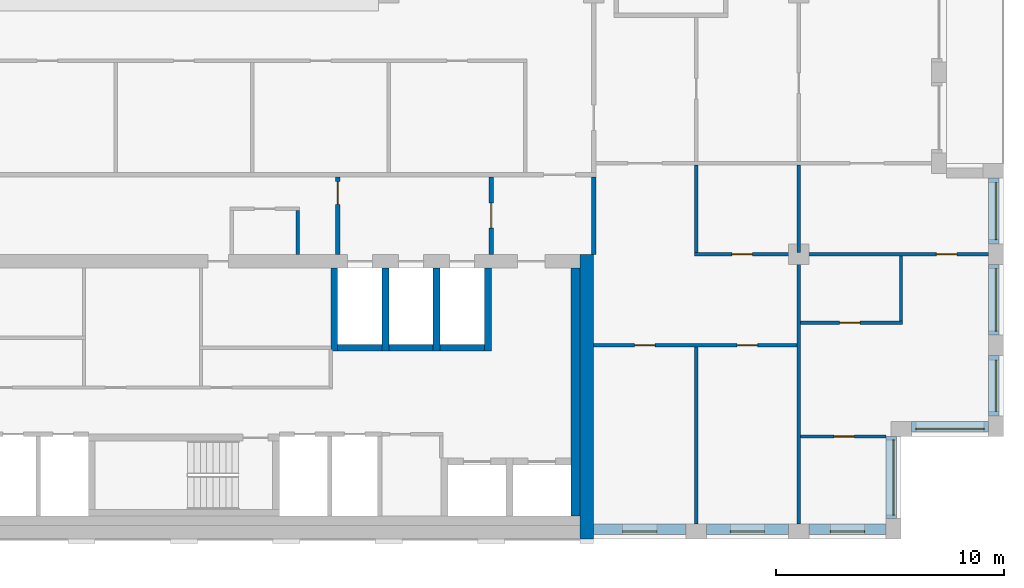
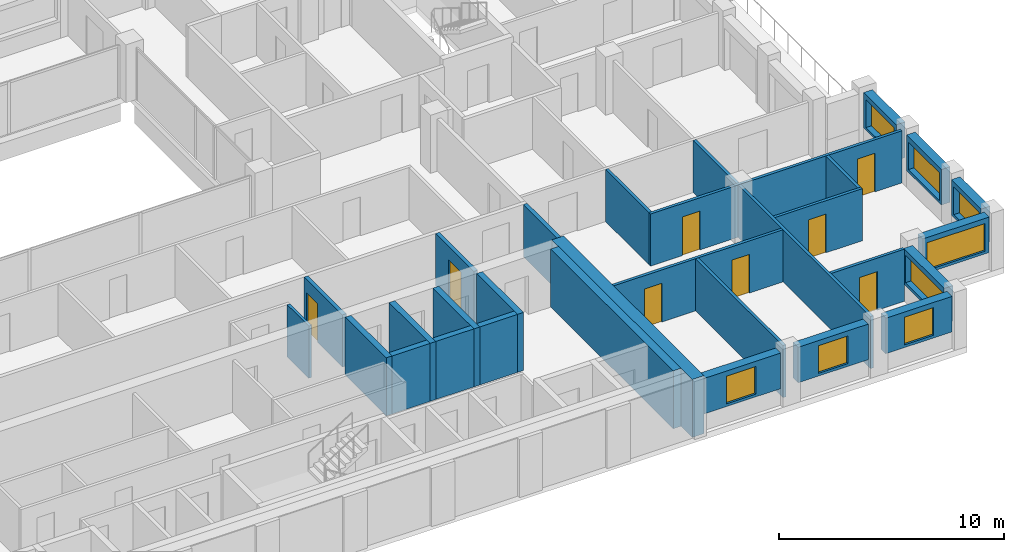
# One storey, part 11 of 16: 30 walls, 8 doors, 8 windows, 16 openings.
"""IFC4 building model written with IfcOpenShell, lengths in metres."""

import ifcopenshell
import ifcopenshell.guid

model = None  # the IFC model being written
_history = None  # IfcOwnerHistory: only IFC2X3 demands one
_inside = {}  # id of a spatial element -> (the spatial element, [elements in it])
_under = {}  # id of a project, library or spatial element -> (it, [spatial elements below it])
_declared = {}  # id of a project -> (the project, [libraries it declares])
_typed = {}  # id of a type object -> (the type object, [elements of that type])
_made_of = {}  # id of a material, layer set ... -> (it, [elements and type objects made of it])


def new_model(schema):
    """Start an empty IFC model of exactly this schema.

    Asked for "IFC4X3", IfcOpenShell would pick the latest addendum, in which some entities
    have other attributes; the version numbers below select the first issue.
    IFC2X3 requires an IfcOwnerHistory on every rooted entity: one is made here for all.
    """
    global model, _history
    if schema == "IFC4X3":
        model = ifcopenshell.file(schema_version=(4, 3, 0, 0))
    else:
        model = ifcopenshell.file(schema=schema)
    _inside.clear()
    _under.clear()
    _declared.clear()
    _typed.clear()
    _made_of.clear()
    _history = None
    if model.schema == "IFC2X3":
        org = make("IfcOrganization", Name="unknown")
        user = make(
            "IfcPersonAndOrganization",
            ThePerson=make("IfcPerson", FamilyName="unknown"),
            TheOrganization=org,
        )
        app = make(
            "IfcApplication",
            ApplicationDeveloper=org,
            Version="unknown",
            ApplicationFullName="unknown",
            ApplicationIdentifier="unknown",
        )
        _history = make(
            "IfcOwnerHistory",
            OwningUser=user,
            OwningApplication=app,
            ChangeAction="ADDED",
            CreationDate=0,
        )
    return model


def make(cls, **values):
    """One entity of the class cls with the attributes given. An attribute that is None is left unset."""
    return model.create_entity(
        cls, **{name: value for name, value in values.items() if value is not None}
    )


def rooted(cls, **values):
    """An entity with a GlobalId (a new one), such as an element, a storey or a relation."""
    return make(cls, GlobalId=ifcopenshell.guid.new(), OwnerHistory=_history, **values)


def si_unit(unit_type, name, prefix=None):
    """IfcSIUnit, for example si_unit("LENGTHUNIT", "METRE", prefix="MILLI")."""
    return make("IfcSIUnit", UnitType=unit_type, Prefix=prefix, Name=name)


def assignment(units):
    """IfcUnitAssignment: the units of a project."""
    return None if units is None else make("IfcUnitAssignment", Units=units)


def point(xyz):
    """IfcCartesianPoint."""
    return None if xyz is None else make("IfcCartesianPoint", Coordinates=xyz)


def direction(xyz):
    """IfcDirection."""
    return None if xyz is None else make("IfcDirection", DirectionRatios=xyz)


def frame(location, z_axis=None, x_axis=None):
    """IfcAxis2Placement3D, a coordinate frame: its origin and axes. An axis left out is left unset."""
    return make(
        "IfcAxis2Placement3D",
        Location=point(location),
        Axis=direction(z_axis),
        RefDirection=direction(x_axis),
    )


def frame_2d(location, x_axis=None):
    """IfcAxis2Placement2D, a coordinate frame in the plane: its origin and x axis."""
    return make(
        "IfcAxis2Placement2D", Location=point(location), RefDirection=direction(x_axis)
    )


def origin():
    """The frame at (0, 0, 0) with its axes left unset."""
    return frame((0.0, 0.0, 0.0))


def place(relative_to, where):
    """IfcLocalPlacement: puts the frame where relative to a parent placement (None: the world)."""
    return make(
        "IfcLocalPlacement", PlacementRelTo=relative_to, RelativePlacement=where
    )


def context(
    kind, dimensions, precision=None, world=None, true_north=None, identifier=None
):
    """IfcGeometricRepresentationContext, for example the 3D "Model" context."""
    return make(
        "IfcGeometricRepresentationContext",
        ContextIdentifier=identifier,
        ContextType=kind,
        CoordinateSpaceDimension=dimensions,
        Precision=precision,
        WorldCoordinateSystem=world,
        TrueNorth=true_north,
    )


def subcontext(parent, identifier, kind, view, scale=None):
    """IfcGeometricRepresentationSubContext, for example "Body" below "Model"."""
    return make(
        "IfcGeometricRepresentationSubContext",
        ContextIdentifier=identifier,
        ContextType=kind,
        ParentContext=parent,
        TargetScale=scale,
        TargetView=view,
    )


def project(units=None, contexts=None):
    """IfcProject with its units and contexts."""
    return rooted(
        "IfcProject",
        Name="project",
        RepresentationContexts=contexts,
        UnitsInContext=assignment(units),
    )


def spatial(cls, under=None, at=None, **own):
    """A site, building, storey or space (cls), placed at a placement, below another one or the project."""
    s = rooted(cls, ObjectPlacement=at, **own)
    if under is not None:
        _under.setdefault(under.id(), (under, []))[1].append(s)
    return s


def profile(cls, at=None, kind="AREA", **sizes):
    """A parametric profile (cls). Its sizes go by their IFC names, for example OverallWidth=200.0."""
    return make(cls, ProfileType=kind, Position=at, **sizes)


def rectangle(**sizes):
    """IfcRectangleProfileDef."""
    return profile("IfcRectangleProfileDef", **sizes)


def extrude(swept, where, along, depth):
    """IfcExtrudedAreaSolid: the profile swept, set in the frame where, extruded along a direction by depth."""
    return make(
        "IfcExtrudedAreaSolid",
        SweptArea=swept,
        Position=where,
        ExtrudedDirection=direction(along),
        Depth=depth,
    )


def shape(context_of_items, identifier, shape_type, items):
    """IfcShapeRepresentation: the items that make up one representation, for example the "Body"."""
    return make(
        "IfcShapeRepresentation",
        ContextOfItems=context_of_items,
        RepresentationIdentifier=identifier,
        RepresentationType=shape_type,
        Items=items,
    )


def material(Name=None, Category=None):
    """IfcMaterial."""
    return make("IfcMaterial", Name=Name, Category=Category)


def layer(
    of_material, thickness, ventilated=None, Name=None, Category=None, Priority=None
):
    """IfcMaterialLayer: one layer of a wall or slab, of a material (None: an air gap)."""
    return make(
        "IfcMaterialLayer",
        Material=of_material,
        LayerThickness=thickness,
        IsVentilated=ventilated,
        Name=Name,
        Category=Category,
        Priority=Priority,
    )


def layer_set(layers, Name=None):
    """IfcMaterialLayerSet."""
    return make("IfcMaterialLayerSet", MaterialLayers=layers, LayerSetName=Name)


def made_of(thing, what):
    """Note that an element or type object is made of a material, layer set ...; save() writes the relation."""
    if what is not None:
        _made_of.setdefault(what.id(), (what, []))[1].append(thing)
    return thing


def type_object(cls, material=None, **own):
    """A type object (cls), such as IfcWallType, which elements share."""
    return made_of(rooted(cls, **own), material)


def element(
    cls,
    number,
    at=None,
    inside=None,
    cuts=None,
    type_object=None,
    material=None,
    context=None,
    identifier="Body",
    shape_type=None,
    held_by="IfcProductDefinitionShape",
    body=None,
    shapes=None,
    **own,
):
    """One element of the class cls, such as IfcWall. Its Tag is "e" and its number.

    at: its placement. inside: the storey or other place that contains it. cuts: it is an
    opening in that element (IfcRelVoidsElement). A single representation is given by context,
    identifier, shape_type and body (its items); several are given by shapes. held_by: the class
    of the entity that holds the representations. save() writes the other relations.
    """
    e = rooted(cls, Tag="e%d" % number, ObjectPlacement=at, **own)
    if body is not None:
        shapes = [shape(context, identifier, shape_type, body)]
    if shapes is not None:
        e.Representation = make(held_by, Representations=shapes)
    if inside is not None:
        _inside.setdefault(inside.id(), (inside, []))[1].append(e)
    if cuts is not None:
        rooted(
            "IfcRelVoidsElement", RelatingBuildingElement=cuts, RelatedOpeningElement=e
        )
    if type_object is not None:
        _typed.setdefault(type_object.id(), (type_object, []))[1].append(e)
    return made_of(e, material)


def fill(opening, filler):
    """IfcRelFillsElement: the door or window that sits in an opening."""
    return rooted(
        "IfcRelFillsElement",
        RelatingOpeningElement=opening,
        RelatedBuildingElement=filler,
    )


def aggregate(whole, parts):
    """IfcRelAggregates: a whole, such as a stair, and the parts it consists of."""
    return rooted("IfcRelAggregates", RelatingObject=whole, RelatedObjects=parts)


def save(model, path):
    """Write the relations noted so far, then the file.

    IfcRelAggregates (storeys below a building ...), IfcRelContainedInSpatialStructure (elements
    in a storey), IfcRelDefinesByType, IfcRelAssociatesMaterial and IfcRelDeclares: one each for
    every whole, place, type object, material and project.
    """
    for whole, parts in _under.values():
        aggregate(whole, parts)
    for where, things in _inside.values():
        rooted(
            "IfcRelContainedInSpatialStructure",
            RelatedElements=things,
            RelatingStructure=where,
        )
    for kind, things in _typed.values():
        rooted("IfcRelDefinesByType", RelatedObjects=things, RelatingType=kind)
    for what, things in _made_of.values():
        rooted("IfcRelAssociatesMaterial", RelatedObjects=things, RelatingMaterial=what)
    for by, libraries in _declared.values():
        rooted("IfcRelDeclares", RelatingContext=by, RelatedDefinitions=libraries)
    model.write(path)


model = new_model("IFC4")

# Units and contexts
model_context = context("Model", 3, precision=1e-05, world=origin(), true_north=direction((0.0, 1.0)))
body_context = subcontext(model_context, "Body", "Model", "MODEL_VIEW")
ifc_project = project(units=[si_unit("LENGTHUNIT", "METRE"), si_unit("AREAUNIT", "SQUARE_METRE"), si_unit("VOLUMEUNIT", "CUBIC_METRE"), si_unit("PLANEANGLEUNIT", "RADIAN"), si_unit("MASSUNIT", "GRAM", prefix="KILO")], contexts=[model_context])

# Site, building, storey
site_placement = place(None, origin())
site = spatial("IfcSite", under=ifc_project, at=site_placement, CompositionType="ELEMENT")
building_placement = place(site_placement, origin())
building = spatial("IfcBuilding", under=site, at=building_placement, Name="Brigalow Station Residences", CompositionType="ELEMENT")
storey_placement = place(building_placement, frame((0.0, 0.0, 201.14990234375)))
storey = spatial("IfcBuildingStorey", under=building, at=storey_placement, Name="L57", CompositionType="ELEMENT", Elevation=201.14990234375)

# Wall, opening, window
ifc_material_1 = material(Name="Clay brick masonry", Category="masonry")
ifc_layer_1 = layer(ifc_material_1, 0.449951171875)
ifc_layer_set_1 = layer_set([ifc_layer_1], Name="BRICK INFILL WALL 450")
wall_type_1 = type_object("IfcWallType", Name="BRICK INFILL WALL 450", PredefinedType="SOLIDWALL", material=ifc_layer_set_1)
wall_1_placement = place(storey_placement, frame((54.0, 0.425048828125, 0.900146484375), z_axis=(0.0, 0.0, 1.0), x_axis=(1.0, 0.0, 0.0)))
wall_1 = element("IfcWall", 1, at=wall_1_placement, inside=storey, type_object=wall_type_1, Name="L57/ewall/W-L57-3", PredefinedType="SOLIDWALL", context=body_context, shape_type="SweptSolid", body=[
    extrude(rectangle(XDim=4.050048828125, YDim=0.449951171875, at=frame_2d((2.02490234375, 0.0))), origin(), (0.0, 0.0, 1.0), 1.929931640625),
])
opening_1_placement = place(wall_1_placement, frame((1.27490234375, 0.0, 0.14990234375)))
opening_1 = element("IfcOpeningElement", 2, at=opening_1_placement, cuts=wall_1, Name="Opening WT-1", PredefinedType="OPENING", context=body_context, shape_type="SweptSolid", body=[
    extrude(rectangle(XDim=1.5, YDim=1.5, at=frame_2d((0.75, 0.75))), frame((0.0, 0.23486328125, 0.0), z_axis=(0.0, -1.0, 0.0), x_axis=(1.0, 0.0, 0.0)), (0.0, 0.0, 1.0), 0.469970703125),
])
ifc_material_2 = material(Name="Anodised aluminium frame with double glazing", Category="aluminium")
window_type_1 = type_object("IfcWindowType", Name="WINDOW 1500x1500", PartitioningType="SINGLE_PANEL", PredefinedType="WINDOW", material=ifc_material_2)
window_1_placement = place(opening_1_placement, origin())
window_1 = element("IfcWindow", 3, at=window_1_placement, inside=storey, type_object=window_type_1, Name="L57/window/W-L57-3", OverallHeight=1.5, OverallWidth=1.5, PartitioningType="SINGLE_PANEL", PredefinedType="WINDOW", context=body_context, shape_type="SweptSolid", body=[
    extrude(rectangle(XDim=1.5, YDim=1.5, at=frame_2d((0.75, 0.75))), frame((0.0, -0.06494140625, 0.0), z_axis=(0.0, -1.0, 0.0), x_axis=(1.0, 0.0, 0.0)), (0.0, 0.0, 1.0), 0.06005859375),
])
fill(opening_1, window_1)

wall_2_placement = place(storey_placement, frame((58.949951171875, 0.425048828125, 0.900146484375), z_axis=(0.0, 0.0, 1.0), x_axis=(1.0, 0.0, 0.0)))
wall_2 = element("IfcWall", 4, at=wall_2_placement, inside=storey, type_object=wall_type_1, Name="L57/ewall/W-L57-4", PredefinedType="SOLIDWALL", context=body_context, shape_type="SweptSolid", body=[
    extrude(rectangle(XDim=3.60009765625, YDim=0.449951171875, at=frame_2d((1.800048828125, 0.0))), origin(), (0.0, 0.0, 1.0), 1.929931640625),
])
opening_2_placement = place(wall_2_placement, frame((1.050048828125, 0.0, 0.14990234375)))
opening_2 = element("IfcOpeningElement", 5, at=opening_2_placement, cuts=wall_2, Name="Opening WT-1", PredefinedType="OPENING", context=body_context, shape_type="SweptSolid", body=[
    extrude(rectangle(XDim=1.5, YDim=1.5, at=frame_2d((0.75, 0.75))), frame((0.0, 0.23486328125, 0.0), z_axis=(0.0, -1.0, 0.0), x_axis=(1.0, 0.0, 0.0)), (0.0, 0.0, 1.0), 0.469970703125),
])
window_2_placement = place(opening_2_placement, origin())
window_2 = element("IfcWindow", 6, at=window_2_placement, inside=storey, type_object=window_type_1, Name="L57/window/W-L57-4", OverallHeight=1.5, OverallWidth=1.5, PartitioningType="SINGLE_PANEL", PredefinedType="WINDOW", context=body_context, shape_type="SweptSolid", body=[
    extrude(rectangle(XDim=1.5, YDim=1.5, at=frame_2d((0.75, 0.75))), frame((0.0, -0.06494140625, 0.0), z_axis=(0.0, -1.0, 0.0), x_axis=(1.0, 0.0, 0.0)), (0.0, 0.0, 1.0), 0.06005859375),
])
fill(opening_2, window_2)

wall_3_placement = place(storey_placement, frame((63.449951171875, 0.425048828125, 0.900146484375), z_axis=(0.0, 0.0, 1.0), x_axis=(1.0, 0.0, 0.0)))
wall_3 = element("IfcWall", 7, at=wall_3_placement, inside=storey, type_object=wall_type_1, Name="L57/ewall/W-L57-5", PredefinedType="SOLIDWALL", context=body_context, shape_type="SweptSolid", body=[
    extrude(rectangle(XDim=3.400146484375, YDim=0.449951171875, at=frame_2d((1.7001953125, 0.0))), origin(), (0.0, 0.0, 1.0), 1.929931640625),
])
opening_3_placement = place(wall_3_placement, frame((0.949951171875, 0.0, 0.14990234375)))
opening_3 = element("IfcOpeningElement", 8, at=opening_3_placement, cuts=wall_3, Name="Opening WT-1", PredefinedType="OPENING", context=body_context, shape_type="SweptSolid", body=[
    extrude(rectangle(XDim=1.5, YDim=1.5, at=frame_2d((0.75, 0.75))), frame((0.0, 0.23486328125, 0.0), z_axis=(0.0, -1.0, 0.0), x_axis=(1.0, 0.0, 0.0)), (0.0, 0.0, 1.0), 0.469970703125),
])
window_3_placement = place(opening_3_placement, origin())
window_3 = element("IfcWindow", 9, at=window_3_placement, inside=storey, type_object=window_type_1, Name="L57/window/W-L57-5", OverallHeight=1.5, OverallWidth=1.5, PartitioningType="SINGLE_PANEL", PredefinedType="WINDOW", context=body_context, shape_type="SweptSolid", body=[
    extrude(rectangle(XDim=1.5, YDim=1.5, at=frame_2d((0.75, 0.75))), frame((0.0, -0.06494140625, 0.0), z_axis=(0.0, -1.0, 0.0), x_axis=(1.0, 0.0, 0.0)), (0.0, 0.0, 1.0), 0.06005859375),
])
fill(opening_3, window_3)

wall_4_placement = place(storey_placement, frame((67.074951171875, 0.89990234375, 0.900146484375), z_axis=(0.0, 0.0, 1.0), x_axis=(0.0, 1.0, 0.0)))
wall_4 = element("IfcWall", 10, at=wall_4_placement, inside=storey, type_object=wall_type_1, Name="L57/ewall/W-L57-6", PredefinedType="SOLIDWALL", context=body_context, shape_type="SweptSolid", body=[
    extrude(rectangle(XDim=3.60009765625, YDim=0.449951171875, at=frame_2d((1.800048828125, 0.0))), origin(), (0.0, 0.0, 1.0), 1.929931640625),
])
opening_4_placement = place(wall_4_placement, frame((0.14990234375, 0.0, 0.14990234375)))
opening_4 = element("IfcOpeningElement", 11, at=opening_4_placement, cuts=wall_4, Name="Opening WT-10", PredefinedType="OPENING", context=body_context, shape_type="SweptSolid", body=[
    extrude(rectangle(XDim=3.300048828125, YDim=1.5, at=frame_2d((1.64990234375, 0.75))), frame((0.0, 0.23486328125, 0.0), z_axis=(0.0, -1.0, 0.0), x_axis=(1.0, 0.0, 0.0)), (0.0, 0.0, 1.0), 0.469970703125),
])
ifc_material_3 = material(Name="Anodised aluminium frame with double glazing", Category="aluminium")
window_type_2 = type_object("IfcWindowType", Name="WINDOW 3300x1500", PartitioningType="SINGLE_PANEL", PredefinedType="WINDOW", material=ifc_material_3)
window_4_placement = place(opening_4_placement, origin())
window_4 = element("IfcWindow", 12, at=window_4_placement, inside=storey, type_object=window_type_2, Name="L57/window/W-L57-6", OverallHeight=1.5, OverallWidth=3.300048828125, PartitioningType="SINGLE_PANEL", PredefinedType="WINDOW", context=body_context, shape_type="SweptSolid", body=[
    extrude(rectangle(XDim=3.300048828125, YDim=1.5, at=frame_2d((1.64990234375, 0.75))), frame((0.0, -0.06494140625, 0.0), z_axis=(0.0, -1.0, 0.0), x_axis=(1.0, 0.0, 0.0)), (0.0, 0.0, 1.0), 0.06005859375),
])
fill(opening_4, window_4)

wall_5_placement = place(storey_placement, frame((67.949951171875, 4.925048828125, 0.900146484375), z_axis=(0.0, 0.0, 1.0), x_axis=(1.0, 0.0, 0.0)))
wall_5 = element("IfcWall", 13, at=wall_5_placement, inside=storey, type_object=wall_type_1, Name="L57/ewall/W-L57-7", PredefinedType="SOLIDWALL", context=body_context, shape_type="SweptSolid", body=[
    extrude(rectangle(XDim=3.400146484375, YDim=0.449951171875, at=frame_2d((1.7001953125, 0.0))), origin(), (0.0, 0.0, 1.0), 1.929931640625),
])
opening_5_placement = place(wall_5_placement, frame((0.199951171875, 0.0, 0.14990234375)))
opening_5 = element("IfcOpeningElement", 14, at=opening_5_placement, cuts=wall_5, Name="Opening WT-2", PredefinedType="OPENING", context=body_context, shape_type="SweptSolid", body=[
    extrude(rectangle(XDim=3.0, YDim=1.5, at=frame_2d((1.5, 0.75))), frame((0.0, 0.23486328125, 0.0), z_axis=(0.0, -1.0, 0.0), x_axis=(1.0, 0.0, 0.0)), (0.0, 0.0, 1.0), 0.469970703125),
])
ifc_material_4 = material(Name="Anodised aluminium frame with double glazing", Category="aluminium")
window_type_3 = type_object("IfcWindowType", Name="WINDOW 3000x1500", PartitioningType="SINGLE_PANEL", PredefinedType="WINDOW", material=ifc_material_4)
window_5_placement = place(opening_5_placement, origin())
window_5 = element("IfcWindow", 15, at=window_5_placement, inside=storey, type_object=window_type_3, Name="L57/window/W-L57-7", OverallHeight=1.5, OverallWidth=3.0, PartitioningType="SINGLE_PANEL", PredefinedType="WINDOW", context=body_context, shape_type="SweptSolid", body=[
    extrude(rectangle(XDim=3.0, YDim=1.5, at=frame_2d((1.5, 0.75))), frame((0.0, -0.06494140625, 0.0), z_axis=(0.0, -1.0, 0.0), x_axis=(1.0, 0.0, 0.0)), (0.0, 0.0, 1.0), 0.06005859375),
])
fill(opening_5, window_5)

wall_6_placement = place(storey_placement, frame((71.574951171875, 5.39990234375, 0.900146484375), z_axis=(0.0, 0.0, 1.0), x_axis=(0.0, 1.0, 0.0)))
wall_6 = element("IfcWall", 16, at=wall_6_placement, inside=storey, type_object=wall_type_1, Name="L57/ewall/W-L57-8", PredefinedType="SOLIDWALL", context=body_context, shape_type="SweptSolid", body=[
    extrude(rectangle(XDim=2.650146484375, YDim=0.449951171875, at=frame_2d((1.3251953125, 0.0))), origin(), (0.0, 0.0, 1.0), 1.929931640625),
])
opening_6_placement = place(wall_6_placement, frame((0.199951171875, 0.0, 0.14990234375)))
opening_6 = element("IfcOpeningElement", 17, at=opening_6_placement, cuts=wall_6, Name="Opening WT-6", PredefinedType="OPENING", context=body_context, shape_type="SweptSolid", body=[
    extrude(rectangle(XDim=2.25, YDim=1.5, at=frame_2d((1.125, 0.75))), frame((0.0, 0.23486328125, 0.0), z_axis=(0.0, -1.0, 0.0), x_axis=(1.0, 0.0, 0.0)), (0.0, 0.0, 1.0), 0.469970703125),
])
ifc_material_5 = material(Name="Anodised aluminium frame with double glazing", Category="aluminium")
window_type_4 = type_object("IfcWindowType", Name="WINDOW 2250x1500", PartitioningType="SINGLE_PANEL", PredefinedType="WINDOW", material=ifc_material_5)
window_6_placement = place(opening_6_placement, origin())
window_6 = element("IfcWindow", 18, at=window_6_placement, inside=storey, type_object=window_type_4, Name="L57/window/W-L57-8", OverallHeight=1.5, OverallWidth=2.25, PartitioningType="SINGLE_PANEL", PredefinedType="WINDOW", context=body_context, shape_type="SweptSolid", body=[
    extrude(rectangle(XDim=2.25, YDim=1.5, at=frame_2d((1.125, 0.75))), frame((0.0, -0.06494140625, 0.0), z_axis=(0.0, -1.0, 0.0), x_axis=(1.0, 0.0, 0.0)), (0.0, 0.0, 1.0), 0.06005859375),
])
fill(opening_6, window_6)

wall_7_placement = place(storey_placement, frame((71.574951171875, 8.949951171875, 0.900146484375), z_axis=(0.0, 0.0, 1.0), x_axis=(0.0, 1.0, 0.0)))
wall_7 = element("IfcWall", 19, at=wall_7_placement, inside=storey, type_object=wall_type_1, Name="L57/ewall/W-L57-9", PredefinedType="SOLIDWALL", context=body_context, shape_type="SweptSolid", body=[
    extrude(rectangle(XDim=3.10009765625, YDim=0.449951171875, at=frame_2d((1.550048828125, 0.0))), origin(), (0.0, 0.0, 1.0), 1.929931640625),
])
opening_7_placement = place(wall_7_placement, frame((0.175048828125, 0.0, 0.14990234375)))
opening_7 = element("IfcOpeningElement", 20, at=opening_7_placement, cuts=wall_7, Name="Opening WT-3", PredefinedType="OPENING", context=body_context, shape_type="SweptSolid", body=[
    extrude(rectangle(XDim=2.75, YDim=1.5, at=frame_2d((1.375, 0.75))), frame((0.0, 0.23486328125, 0.0), z_axis=(0.0, -1.0, 0.0), x_axis=(1.0, 0.0, 0.0)), (0.0, 0.0, 1.0), 0.469970703125),
])
ifc_material_6 = material(Name="Anodised aluminium frame with double glazing", Category="aluminium")
window_type_5 = type_object("IfcWindowType", Name="WINDOW 2750x1500", PartitioningType="SINGLE_PANEL", PredefinedType="WINDOW", material=ifc_material_6)
window_7_placement = place(opening_7_placement, origin())
window_7 = element("IfcWindow", 21, at=window_7_placement, inside=storey, type_object=window_type_5, Name="L57/window/W-L57-9", OverallHeight=1.5, OverallWidth=2.75, PartitioningType="SINGLE_PANEL", PredefinedType="WINDOW", context=body_context, shape_type="SweptSolid", body=[
    extrude(rectangle(XDim=2.75, YDim=1.5, at=frame_2d((1.375, 0.75))), frame((0.0, -0.06494140625, 0.0), z_axis=(0.0, -1.0, 0.0), x_axis=(1.0, 0.0, 0.0)), (0.0, 0.0, 1.0), 0.06005859375),
])
fill(opening_7, window_7)

wall_8_placement = place(storey_placement, frame((71.574951171875, 12.949951171875, 0.900146484375), z_axis=(0.0, 0.0, 1.0), x_axis=(0.0, 1.0, 0.0)))
wall_8 = element("IfcWall", 22, at=wall_8_placement, inside=storey, type_object=wall_type_1, Name="L57/ewall/W-L57-10", PredefinedType="SOLIDWALL", context=body_context, shape_type="SweptSolid", body=[
    extrude(rectangle(XDim=2.900146484375, YDim=0.449951171875, at=frame_2d((1.4501953125, 0.0))), origin(), (0.0, 0.0, 1.0), 1.929931640625),
])
opening_8_placement = place(wall_8_placement, frame((0.199951171875, 0.0, 0.14990234375)))
opening_8 = element("IfcOpeningElement", 23, at=opening_8_placement, cuts=wall_8, Name="Opening WT-5", PredefinedType="OPENING", context=body_context, shape_type="SweptSolid", body=[
    extrude(rectangle(XDim=2.5, YDim=1.5, at=frame_2d((1.25, 0.75))), frame((0.0, 0.23486328125, 0.0), z_axis=(0.0, -1.0, 0.0), x_axis=(1.0, 0.0, 0.0)), (0.0, 0.0, 1.0), 0.469970703125),
])
ifc_material_7 = material(Name="Anodised aluminium frame with double glazing", Category="aluminium")
window_type_6 = type_object("IfcWindowType", Name="WINDOW 2500x1500", PartitioningType="SINGLE_PANEL", PredefinedType="WINDOW", material=ifc_material_7)
window_8_placement = place(opening_8_placement, origin())
window_8 = element("IfcWindow", 24, at=window_8_placement, inside=storey, type_object=window_type_6, Name="L57/window/W-L57-10", OverallHeight=1.5, OverallWidth=2.5, PartitioningType="SINGLE_PANEL", PredefinedType="WINDOW", context=body_context, shape_type="SweptSolid", body=[
    extrude(rectangle(XDim=2.5, YDim=1.5, at=frame_2d((1.25, 0.75))), frame((0.0, -0.06494140625, 0.0), z_axis=(0.0, -1.0, 0.0), x_axis=(1.0, 0.0, 0.0)), (0.0, 0.0, 1.0), 0.06005859375),
])
fill(opening_8, window_8)

# Walls
ifc_material_8 = material(Name="Concrete C50", Category="concrete")
ifc_layer_2 = layer(ifc_material_8, 0.300048828125)
ifc_layer_set_2 = layer_set([ifc_layer_2], Name="CORE SHEAR WALL 300 C50")
wall_type_2 = type_object("IfcWallType", Name="CORE SHEAR WALL 300 C50", PredefinedType="SHEAR", material=ifc_layer_set_2)
wall_9_placement = place(storey_placement, frame((42.75, 8.39990234375, 0.0), z_axis=(0.0, 0.0, 1.0), x_axis=(1.0, 0.0, 0.0)))
element("IfcWall", 25, at=wall_9_placement, inside=storey, type_object=wall_type_2, Name="CORE WALL SH-FF1-S L57", PredefinedType="SHEAR", context=body_context, shape_type="SweptSolid", body=[
    extrude(rectangle(XDim=1.949951171875, YDim=0.300048828125, at=frame_2d((0.97509765625, 0.0))), origin(), (0.0, 0.0, 1.0), 3.150146484375),
])
wall_10_placement = place(storey_placement, frame((42.60009765625, 8.25, 0.0), z_axis=(0.0, 0.0, 1.0), x_axis=(0.0, 1.0, 0.0)))
element("IfcWall", 26, at=wall_10_placement, inside=storey, type_object=wall_type_2, Name="CORE WALL SH-FF1-W L57", PredefinedType="SHEAR", context=body_context, shape_type="SweptSolid", body=[
    extrude(rectangle(XDim=3.64990234375, YDim=0.300048828125, at=frame_2d((1.824951171875, 0.0))), origin(), (0.0, 0.0, 1.0), 3.150146484375),
])
wall_11_placement = place(storey_placement, frame((45.0, 8.39990234375, 0.0), z_axis=(0.0, 0.0, 1.0), x_axis=(1.0, 0.0, 0.0)))
element("IfcWall", 27, at=wall_11_placement, inside=storey, type_object=wall_type_2, Name="CORE WALL SH-FF2-S L57", PredefinedType="SHEAR", context=body_context, shape_type="SweptSolid", body=[
    extrude(rectangle(XDim=1.949951171875, YDim=0.300048828125, at=frame_2d((0.97509765625, 0.0))), origin(), (0.0, 0.0, 1.0), 3.150146484375),
])
wall_12_placement = place(storey_placement, frame((44.85009765625, 8.25, 0.0), z_axis=(0.0, 0.0, 1.0), x_axis=(0.0, 1.0, 0.0)))
element("IfcWall", 28, at=wall_12_placement, inside=storey, type_object=wall_type_2, Name="CORE WALL SH-FF2-W L57", PredefinedType="SHEAR", context=body_context, shape_type="SweptSolid", body=[
    extrude(rectangle(XDim=3.64990234375, YDim=0.300048828125, at=frame_2d((1.824951171875, 0.0))), origin(), (0.0, 0.0, 1.0), 3.150146484375),
])
wall_13_placement = place(storey_placement, frame((47.25, 8.39990234375, 0.0), z_axis=(0.0, 0.0, 1.0), x_axis=(1.0, 0.0, 0.0)))
element("IfcWall", 29, at=wall_13_placement, inside=storey, type_object=wall_type_2, Name="CORE WALL SH-SL1-S L57", PredefinedType="SHEAR", context=body_context, shape_type="SweptSolid", body=[
    extrude(rectangle(XDim=1.949951171875, YDim=0.300048828125, at=frame_2d((0.97509765625, 0.0))), origin(), (0.0, 0.0, 1.0), 3.150146484375),
])
for number, where, z_axis, x_axis, name in (
    (30, (47.10009765625, 8.25, 0.0), (0.0, 0.0, 1.0), (0.0, 1.0, 0.0), "CORE WALL SH-SL1-W L57"),
    (31, (49.35009765625, 8.25, 0.0), (0.0, 0.0, 1.0), (0.0, 1.0, 0.0), "CORE WALL SH-SL1-E L57"),
):
    element("IfcWall", number, at=place(storey_placement, frame(where, z_axis=z_axis, x_axis=x_axis)), inside=storey, type_object=wall_type_2, Name=name, PredefinedType="SHEAR", context=body_context, shape_type="SweptSolid", body=[
        extrude(rectangle(XDim=3.64990234375, YDim=0.300048828125, at=frame_2d((1.824951171875, 0.0))), origin(), (0.0, 0.0, 1.0), 3.150146484375),
    ])
ifc_material_9 = material(Name="Concrete C50", Category="concrete")
ifc_layer_3 = layer(ifc_material_9, 0.39990234375)
ifc_layer_set_3 = layer_set([ifc_layer_3], Name="CORE SHEAR WALL 400 C50")
wall_type_3 = type_object("IfcWallType", Name="CORE SHEAR WALL 400 C50", PredefinedType="SHEAR", material=ifc_layer_set_3)
wall_14_placement = place(storey_placement, frame((53.199951171875, 1.0, 0.0), z_axis=(0.0, 0.0, 1.0), x_axis=(0.0, 1.0, 0.0)))
element("IfcWall", 32, at=wall_14_placement, inside=storey, type_object=wall_type_3, Name="CORE WALL LIN-E L57", PredefinedType="SHEAR", context=body_context, shape_type="SweptSolid", body=[
    extrude(rectangle(XDim=10.89990234375, YDim=0.39990234375, at=frame_2d((5.449951171875, 0.0))), origin(), (0.0, 0.0, 1.0), 3.150146484375),
])
ifc_material_10 = material(Name="Concrete C50", Category="concrete")
ifc_layer_4 = layer(ifc_material_10, 0.60009765625)
ifc_layer_set_4 = layer_set([ifc_layer_4], Name="CORE SHEAR WALL 600 C50")
wall_type_4 = type_object("IfcWallType", Name="CORE SHEAR WALL 600 C50", PredefinedType="SHEAR", material=ifc_layer_set_4)
wall_15_placement = place(storey_placement, frame((53.699951171875, 0.0, 0.0), z_axis=(0.0, 0.0, 1.0), x_axis=(0.0, 1.0, 0.0)))
element("IfcWall", 33, at=wall_15_placement, inside=storey, type_object=wall_type_4, Name="CORE WALL OUT-E L57", PredefinedType="SHEAR", context=body_context, shape_type="SweptSolid", body=[
    extrude(rectangle(XDim=12.5, YDim=0.60009765625, at=frame_2d((6.25, 0.0))), origin(), (0.0, 0.0, 1.0), 3.150146484375),
])

# Wall, opening, door
ifc_material_11 = material(Name="Concrete blockwork", Category="masonry")
ifc_layer_5 = layer(ifc_material_11, 0.199951171875)
ifc_layer_set_5 = layer_set([ifc_layer_5], Name="FIRE RATED CORE PARTITION 200")
wall_type_5 = type_object("IfcWallType", Name="FIRE RATED CORE PARTITION 200", PredefinedType="PARTITIONING", material=ifc_layer_set_5)
wall_16_placement = place(storey_placement, frame((42.75, 12.5, 0.0), z_axis=(0.0, 0.0, 1.0), x_axis=(0.0, 1.0, 0.0)))
wall_16 = element("IfcWall", 34, at=wall_16_placement, inside=storey, type_object=wall_type_5, Name="PW-5014", PredefinedType="PARTITIONING", context=body_context, shape_type="SweptSolid", body=[
    extrude(rectangle(XDim=3.39990234375, YDim=0.199951171875, at=frame_2d((1.699951171875, 0.0))), origin(), (0.0, 0.0, 1.0), 2.830078125),
])
opening_9_placement = place(wall_16_placement, frame((2.199951171875, 0.0, 0.0)))
opening_9 = element("IfcOpeningElement", 35, at=opening_9_placement, cuts=wall_16, Name="Opening D-5013", PredefinedType="OPENING", context=body_context, shape_type="SweptSolid", body=[
    extrude(rectangle(XDim=1.0, YDim=2.10009765625, at=frame_2d((0.5, 1.050048828125))), frame((0.0, 0.10986328125, 0.0), z_axis=(0.0, -1.0, 0.0), x_axis=(1.0, 0.0, 0.0)), (0.0, 0.0, 1.0), 0.219970703125),
])
ifc_material_12 = material(Name="Steel fire door leaf in steel frame", Category="steel")
door_type_1 = type_object("IfcDoorType", Name="LOBBY DOOR 1000 x 2100 FD60S", OperationType="SINGLE_SWING_LEFT", PredefinedType="DOOR", material=ifc_material_12)
door_1_placement = place(opening_9_placement, origin())
door_1 = element("IfcDoor", 36, at=door_1_placement, inside=storey, type_object=door_type_1, Name="D-5013", OperationType="SINGLE_SWING_RIGHT", OverallHeight=2.10009765625, OverallWidth=1.0, PredefinedType="DOOR", context=body_context, shape_type="SweptSolid", body=[
    extrude(rectangle(XDim=1.0, YDim=2.10009765625, at=frame_2d((0.5, 1.050048828125))), frame((0.0, 0.02490234375, 0.0), z_axis=(0.0, -1.0, 0.0), x_axis=(1.0, 0.0, 0.0)), (0.0, 0.0, 1.0), 0.050048828125),
])
fill(opening_9, door_1)

wall_17_placement = place(storey_placement, frame((49.5, 12.5, 0.0), z_axis=(0.0, 0.0, 1.0), x_axis=(0.0, 1.0, 0.0)))
wall_17 = element("IfcWall", 37, at=wall_17_placement, inside=storey, type_object=wall_type_5, Name="PW-5015", PredefinedType="PARTITIONING", context=body_context, shape_type="SweptSolid", body=[
    extrude(rectangle(XDim=3.39990234375, YDim=0.199951171875, at=frame_2d((1.699951171875, 0.0))), origin(), (0.0, 0.0, 1.0), 2.830078125),
])
opening_10_placement = place(wall_17_placement, frame((1.14990234375, 0.0, 0.0)))
opening_10 = element("IfcOpeningElement", 38, at=opening_10_placement, cuts=wall_17, Name="Opening D-5014", PredefinedType="OPENING", context=body_context, shape_type="SweptSolid", body=[
    extrude(rectangle(XDim=1.10009765625, YDim=2.10009765625, at=frame_2d((0.550048828125, 1.050048828125))), frame((0.0, 0.10986328125, 0.0), z_axis=(0.0, -1.0, 0.0), x_axis=(1.0, 0.0, 0.0)), (0.0, 0.0, 1.0), 0.219970703125),
])
ifc_material_13 = material(Name="Steel fire door leaf in steel frame", Category="steel")
door_type_2 = type_object("IfcDoorType", Name="LOBBY DOOR 1100 x 2100 FD60S", OperationType="SINGLE_SWING_LEFT", PredefinedType="DOOR", material=ifc_material_13)
door_2_placement = place(opening_10_placement, origin())
door_2 = element("IfcDoor", 39, at=door_2_placement, inside=storey, type_object=door_type_2, Name="D-5014", OperationType="SINGLE_SWING_LEFT", OverallHeight=2.10009765625, OverallWidth=1.10009765625, PredefinedType="DOOR", context=body_context, shape_type="SweptSolid", body=[
    extrude(rectangle(XDim=1.10009765625, YDim=2.10009765625, at=frame_2d((0.550048828125, 1.050048828125))), frame((0.0, 0.02490234375, 0.0), z_axis=(0.0, -1.0, 0.0), x_axis=(1.0, 0.0, 0.0)), (0.0, 0.0, 1.0), 0.050048828125),
])
fill(opening_10, door_2)

# Wall
wall_18_placement = place(storey_placement, frame((54.0, 12.5, 0.0), z_axis=(0.0, 0.0, 1.0), x_axis=(0.0, 1.0, 0.0)))
element("IfcWall", 40, at=wall_18_placement, inside=storey, type_object=wall_type_5, Name="PW-5016", PredefinedType="PARTITIONING", context=body_context, shape_type="SweptSolid", body=[
    extrude(rectangle(XDim=3.39990234375, YDim=0.199951171875, at=frame_2d((1.699951171875, 0.0))), origin(), (0.0, 0.0, 1.0), 2.830078125),
])

# Wall, openings, doors
ifc_material_14 = material(Name="Plasterboard on steel stud partition", Category="steel")
ifc_layer_6 = layer(ifc_material_14, 0.14990234375)
ifc_layer_set_6 = layer_set([ifc_layer_6], Name="FLAT PARTITION 150")
wall_type_6 = type_object("IfcWallType", Name="FLAT PARTITION 150", PredefinedType="PARTITIONING", material=ifc_layer_set_6)
wall_19_placement = place(storey_placement, frame((58.425048828125, 12.5, 0.0), z_axis=(0.0, 0.0, 1.0), x_axis=(1.0, 0.0, 0.0)))
wall_19 = element("IfcWall", 41, at=wall_19_placement, inside=storey, type_object=wall_type_6, Name="PW-4A13", PredefinedType="PARTITIONING", context=body_context, shape_type="SweptSolid", body=[
    extrude(rectangle(XDim=12.925048828125, YDim=0.14990234375, at=frame_2d((6.46240234375, 0.0))), origin(), (0.0, 0.0, 1.0), 2.830078125),
])
opening_11_placement = place(wall_19_placement, frame((1.64990234375, 0.0, 0.0)))
opening_11 = element("IfcOpeningElement", 42, at=opening_11_placement, cuts=wall_19, Name="Opening D-4A36", PredefinedType="OPENING", context=body_context, shape_type="SweptSolid", body=[
    extrude(rectangle(XDim=0.89990234375, YDim=2.10009765625, at=frame_2d((0.449951171875, 1.050048828125))), frame((0.0, 0.0849609375, 0.0), z_axis=(0.0, -1.0, 0.0), x_axis=(1.0, 0.0, 0.0)), (0.0, 0.0, 1.0), 0.169921875),
])
opening_12_placement = place(wall_19_placement, frame((10.625, 0.0, 0.0)))
opening_12 = element("IfcOpeningElement", 43, at=opening_12_placement, cuts=wall_19, Name="Opening D-4A37", PredefinedType="OPENING", context=body_context, shape_type="SweptSolid", body=[
    extrude(rectangle(XDim=0.89990234375, YDim=2.10009765625, at=frame_2d((0.449951171875, 1.050048828125))), frame((0.0, 0.0849609375, 0.0), z_axis=(0.0, -1.0, 0.0), x_axis=(1.0, 0.0, 0.0)), (0.0, 0.0, 1.0), 0.169921875),
])
ifc_material_15 = material(Name="Solid-core timber door leaf", Category="wood")
door_type_3 = type_object("IfcDoorType", Name="INTERNAL DOOR 900 x 2100", OperationType="SINGLE_SWING_LEFT", PredefinedType="DOOR", material=ifc_material_15)
door_3_placement = place(opening_11_placement, origin())
door_3 = element("IfcDoor", 44, at=door_3_placement, inside=storey, type_object=door_type_3, Name="D-4A36", OperationType="SINGLE_SWING_LEFT", OverallHeight=2.10009765625, OverallWidth=0.89990234375, PredefinedType="DOOR", context=body_context, shape_type="SweptSolid", body=[
    extrude(rectangle(XDim=0.89990234375, YDim=2.10009765625, at=frame_2d((0.449951171875, 1.050048828125))), frame((0.0, 0.02490234375, 0.0), z_axis=(0.0, -1.0, 0.0), x_axis=(1.0, 0.0, 0.0)), (0.0, 0.0, 1.0), 0.050048828125),
])
fill(opening_11, door_3)
door_4_placement = place(opening_12_placement, origin())
door_4 = element("IfcDoor", 45, at=door_4_placement, inside=storey, type_object=door_type_3, Name="D-4A37", OperationType="SINGLE_SWING_RIGHT", OverallHeight=2.10009765625, OverallWidth=0.89990234375, PredefinedType="DOOR", context=body_context, shape_type="SweptSolid", body=[
    extrude(rectangle(XDim=0.89990234375, YDim=2.10009765625, at=frame_2d((0.449951171875, 1.050048828125))), frame((0.0, 0.02490234375, 0.0), z_axis=(0.0, -1.0, 0.0), x_axis=(1.0, 0.0, 0.0)), (0.0, 0.0, 1.0), 0.050048828125),
])
fill(opening_12, door_4)

wall_20_placement = place(storey_placement, frame((54.0, 8.5, 0.0), z_axis=(0.0, 0.0, 1.0), x_axis=(1.0, 0.0, 0.0)))
wall_20 = element("IfcWall", 46, at=wall_20_placement, inside=storey, type_object=wall_type_6, Name="PW-4A15", PredefinedType="PARTITIONING", context=body_context, shape_type="SweptSolid", body=[
    extrude(rectangle(XDim=8.925048828125, YDim=0.14990234375, at=frame_2d((4.46240234375, 0.0))), origin(), (0.0, 0.0, 1.0), 2.830078125),
])
opening_13_placement = place(wall_20_placement, frame((1.800048828125, 0.0, 0.0)))
opening_13 = element("IfcOpeningElement", 47, at=opening_13_placement, cuts=wall_20, Name="Opening D-4A34", PredefinedType="OPENING", context=body_context, shape_type="SweptSolid", body=[
    extrude(rectangle(XDim=0.89990234375, YDim=2.10009765625, at=frame_2d((0.449951171875, 1.050048828125))), frame((0.0, 0.0849609375, 0.0), z_axis=(0.0, -1.0, 0.0), x_axis=(1.0, 0.0, 0.0)), (0.0, 0.0, 1.0), 0.169921875),
])
opening_14_placement = place(wall_20_placement, frame((6.300048828125, 0.0, 0.0)))
opening_14 = element("IfcOpeningElement", 48, at=opening_14_placement, cuts=wall_20, Name="Opening D-4A35", PredefinedType="OPENING", context=body_context, shape_type="SweptSolid", body=[
    extrude(rectangle(XDim=0.89990234375, YDim=2.10009765625, at=frame_2d((0.449951171875, 1.050048828125))), frame((0.0, 0.0849609375, 0.0), z_axis=(0.0, -1.0, 0.0), x_axis=(1.0, 0.0, 0.0)), (0.0, 0.0, 1.0), 0.169921875),
])
door_5_placement = place(opening_13_placement, frame((0.89990234375, 0.0, 0.0), z_axis=(0.0, 0.0, 1.0), x_axis=(-1.0, 0.0, 0.0)))
door_5 = element("IfcDoor", 49, at=door_5_placement, inside=storey, type_object=door_type_3, Name="D-4A34", OperationType="SINGLE_SWING_LEFT", OverallHeight=2.10009765625, OverallWidth=0.89990234375, PredefinedType="DOOR", context=body_context, shape_type="SweptSolid", body=[
    extrude(rectangle(XDim=0.89990234375, YDim=2.10009765625, at=frame_2d((0.449951171875, 1.050048828125))), frame((0.0, 0.02490234375, 0.0), z_axis=(0.0, -1.0, 0.0), x_axis=(1.0, 0.0, 0.0)), (0.0, 0.0, 1.0), 0.050048828125),
])
fill(opening_13, door_5)
door_6_placement = place(opening_14_placement, frame((0.89990234375, 0.0, 0.0), z_axis=(0.0, 0.0, 1.0), x_axis=(-1.0, 0.0, 0.0)))
door_6 = element("IfcDoor", 50, at=door_6_placement, inside=storey, type_object=door_type_3, Name="D-4A35", OperationType="SINGLE_SWING_RIGHT", OverallHeight=2.10009765625, OverallWidth=0.89990234375, PredefinedType="DOOR", context=body_context, shape_type="SweptSolid", body=[
    extrude(rectangle(XDim=0.89990234375, YDim=2.10009765625, at=frame_2d((0.449951171875, 1.050048828125))), frame((0.0, 0.02490234375, 0.0), z_axis=(0.0, -1.0, 0.0), x_axis=(1.0, 0.0, 0.0)), (0.0, 0.0, 1.0), 0.050048828125),
])
fill(opening_14, door_6)

# Wall, opening, door
wall_21_placement = place(storey_placement, frame((63.074951171875, 4.5, 0.0), z_axis=(0.0, 0.0, 1.0), x_axis=(1.0, 0.0, 0.0)))
wall_21 = element("IfcWall", 51, at=wall_21_placement, inside=storey, type_object=wall_type_6, Name="PW-4A17", PredefinedType="PARTITIONING", context=body_context, shape_type="SweptSolid", body=[
    extrude(rectangle(XDim=3.775146484375, YDim=0.14990234375, at=frame_2d((1.8876953125, 0.0))), origin(), (0.0, 0.0, 1.0), 2.830078125),
])
opening_15_placement = place(wall_21_placement, frame((1.47509765625, 0.0, 0.0)))
opening_15 = element("IfcOpeningElement", 52, at=opening_15_placement, cuts=wall_21, Name="Opening D-4A38", PredefinedType="OPENING", context=body_context, shape_type="SweptSolid", body=[
    extrude(rectangle(XDim=0.89990234375, YDim=2.10009765625, at=frame_2d((0.449951171875, 1.050048828125))), frame((0.0, 0.0849609375, 0.0), z_axis=(0.0, -1.0, 0.0), x_axis=(1.0, 0.0, 0.0)), (0.0, 0.0, 1.0), 0.169921875),
])
door_7_placement = place(opening_15_placement, frame((0.89990234375, 0.0, 0.0), z_axis=(0.0, 0.0, 1.0), x_axis=(-1.0, 0.0, 0.0)))
door_7 = element("IfcDoor", 53, at=door_7_placement, inside=storey, type_object=door_type_3, Name="D-4A38", OperationType="SINGLE_SWING_LEFT", OverallHeight=2.10009765625, OverallWidth=0.89990234375, PredefinedType="DOOR", context=body_context, shape_type="SweptSolid", body=[
    extrude(rectangle(XDim=0.89990234375, YDim=2.10009765625, at=frame_2d((0.449951171875, 1.050048828125))), frame((0.0, 0.02490234375, 0.0), z_axis=(0.0, -1.0, 0.0), x_axis=(1.0, 0.0, 0.0)), (0.0, 0.0, 1.0), 0.050048828125),
])
fill(opening_15, door_7)

wall_22_placement = place(storey_placement, frame((63.074951171875, 9.5, 0.0), z_axis=(0.0, 0.0, 1.0), x_axis=(1.0, 0.0, 0.0)))
wall_22 = element("IfcWall", 54, at=wall_22_placement, inside=storey, type_object=wall_type_6, Name="PW-4A29", PredefinedType="PARTITIONING", context=body_context, shape_type="SweptSolid", body=[
    extrude(rectangle(XDim=4.5, YDim=0.14990234375, at=frame_2d((2.25, 0.0))), origin(), (0.0, 0.0, 1.0), 2.830078125),
])
opening_16_placement = place(wall_22_placement, frame((1.72509765625, 0.0, 0.0)))
opening_16 = element("IfcOpeningElement", 55, at=opening_16_placement, cuts=wall_22, Name="Opening D-4A39", PredefinedType="OPENING", context=body_context, shape_type="SweptSolid", body=[
    extrude(rectangle(XDim=0.89990234375, YDim=2.10009765625, at=frame_2d((0.449951171875, 1.050048828125))), frame((0.0, 0.0849609375, 0.0), z_axis=(0.0, -1.0, 0.0), x_axis=(1.0, 0.0, 0.0)), (0.0, 0.0, 1.0), 0.169921875),
])
door_8_placement = place(opening_16_placement, origin())
door_8 = element("IfcDoor", 56, at=door_8_placement, inside=storey, type_object=door_type_3, Name="D-4A39", OperationType="SINGLE_SWING_RIGHT", OverallHeight=2.10009765625, OverallWidth=0.89990234375, PredefinedType="DOOR", context=body_context, shape_type="SweptSolid", body=[
    extrude(rectangle(XDim=0.89990234375, YDim=2.10009765625, at=frame_2d((0.449951171875, 1.050048828125))), frame((0.0, 0.02490234375, 0.0), z_axis=(0.0, -1.0, 0.0), x_axis=(1.0, 0.0, 0.0)), (0.0, 0.0, 1.0), 0.050048828125),
])
fill(opening_16, door_8)

# Walls
wall_23_placement = place(storey_placement, frame((58.5, 0.64990234375, 0.0), z_axis=(0.0, 0.0, 1.0), x_axis=(0.0, 1.0, 0.0)))
element("IfcWall", 57, at=wall_23_placement, inside=storey, type_object=wall_type_6, Name="PW-4A53", PredefinedType="PARTITIONING", context=body_context, shape_type="SweptSolid", body=[
    extrude(rectangle(XDim=7.775146484375, YDim=0.14990234375, at=frame_2d((3.8876953125, 0.0))), origin(), (0.0, 0.0, 1.0), 2.830078125),
])
wall_24_placement = place(storey_placement, frame((58.5, 12.574951171875, 0.0), z_axis=(0.0, 0.0, 1.0), x_axis=(0.0, 1.0, 0.0)))
element("IfcWall", 58, at=wall_24_placement, inside=storey, type_object=wall_type_6, Name="PW-4A54", PredefinedType="PARTITIONING", context=body_context, shape_type="SweptSolid", body=[
    extrude(rectangle(XDim=3.85009765625, YDim=0.14990234375, at=frame_2d((1.925048828125, 0.0))), origin(), (0.0, 0.0, 1.0), 2.830078125),
])
wall_25_placement = place(storey_placement, frame((63.0, 0.64990234375, 0.0), z_axis=(0.0, 0.0, 1.0), x_axis=(0.0, 1.0, 0.0)))
element("IfcWall", 59, at=wall_25_placement, inside=storey, type_object=wall_type_6, Name="PW-4A57", PredefinedType="PARTITIONING", context=body_context, shape_type="SweptSolid", body=[
    extrude(rectangle(XDim=11.775146484375, YDim=0.14990234375, at=frame_2d((5.8876953125, 0.0))), origin(), (0.0, 0.0, 1.0), 2.830078125),
])
wall_26_placement = place(storey_placement, frame((63.0, 12.574951171875, 0.0), z_axis=(0.0, 0.0, 1.0), x_axis=(0.0, 1.0, 0.0)))
element("IfcWall", 60, at=wall_26_placement, inside=storey, type_object=wall_type_6, Name="PW-4A58", PredefinedType="PARTITIONING", context=body_context, shape_type="SweptSolid", body=[
    extrude(rectangle(XDim=3.85009765625, YDim=0.14990234375, at=frame_2d((1.925048828125, 0.0))), origin(), (0.0, 0.0, 1.0), 2.830078125),
])
wall_27_placement = place(storey_placement, frame((67.5, 9.574951171875, 0.0), z_axis=(0.0, 0.0, 1.0), x_axis=(0.0, 1.0, 0.0)))
element("IfcWall", 61, at=wall_27_placement, inside=storey, type_object=wall_type_6, Name="PW-4A62", PredefinedType="PARTITIONING", context=body_context, shape_type="SweptSolid", body=[
    extrude(rectangle(XDim=2.85009765625, YDim=0.14990234375, at=frame_2d((1.425048828125, 0.0))), origin(), (0.0, 0.0, 1.0), 2.830078125),
])
ifc_material_16 = material(Name="Plasterboard on steel studs", Category="steel")
ifc_layer_7 = layer(ifc_material_16, 0.14990234375)
ifc_layer_set_7 = layer_set([ifc_layer_7], Name="SERVICE ROOM PARTITION 150")
wall_type_7 = type_object("IfcWallType", Name="SERVICE ROOM PARTITION 150", PredefinedType="PARTITIONING", material=ifc_layer_set_7)
wall_28_placement = place(storey_placement, frame((41.0, 12.5, 0.0), z_axis=(0.0, 0.0, 1.0), x_axis=(0.0, 1.0, 0.0)))
element("IfcWall", 62, at=wall_28_placement, inside=storey, type_object=wall_type_7, Name="PW-5140", PredefinedType="PARTITIONING", context=body_context, shape_type="SweptSolid", body=[
    extrude(rectangle(XDim=1.925048828125, YDim=0.14990234375, at=frame_2d((0.96240234375, 0.0))), origin(), (0.0, 0.0, 1.0), 2.830078125),
])

save(model, "model.ifc")
